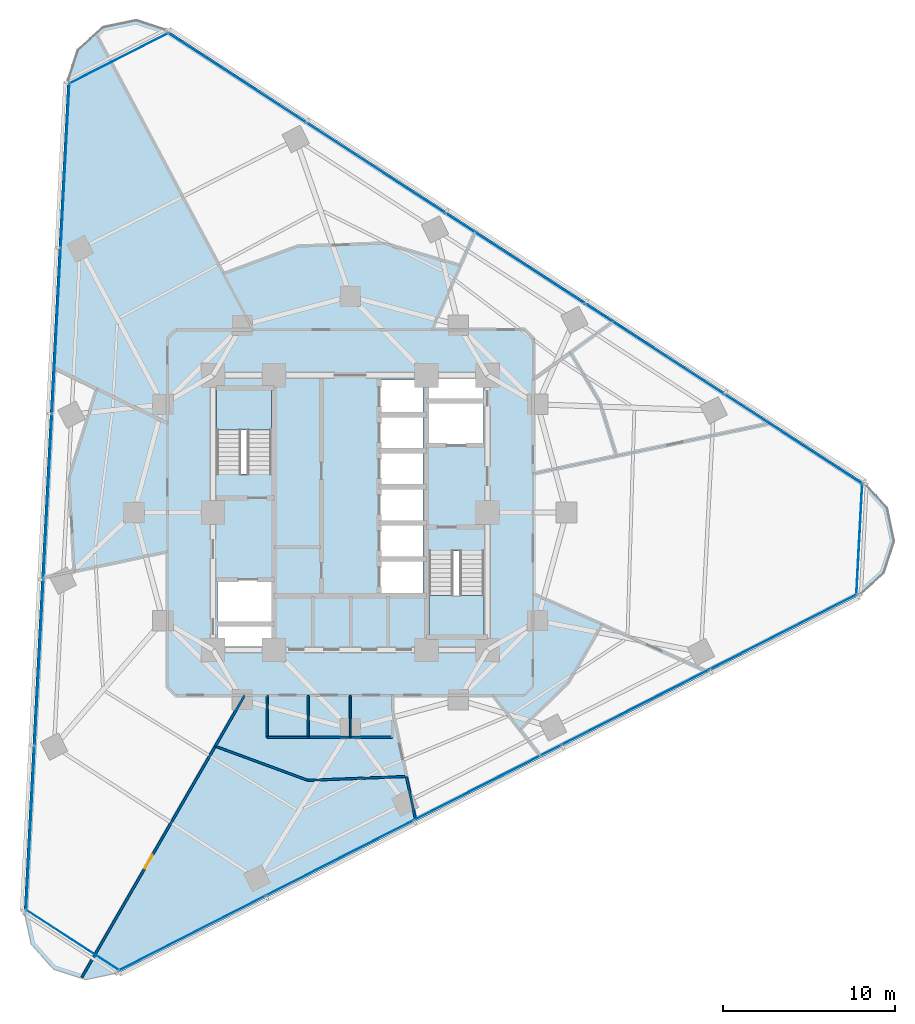
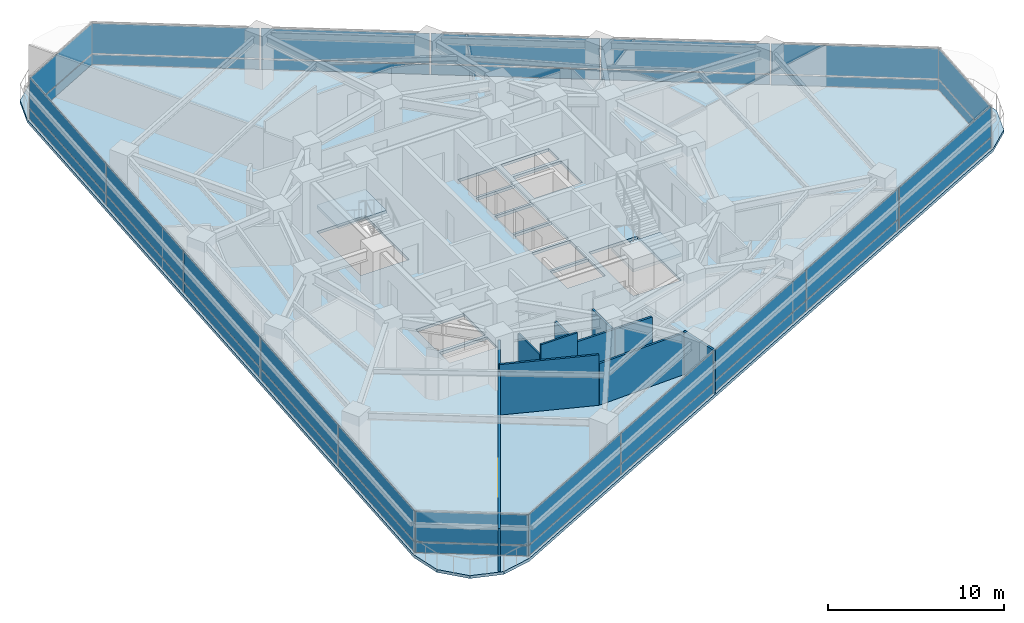
# One storey, part 7 of 14: 36 plates, 11 walls, 3 slabs, 1 door, 1 opening, 8 elements without a shape of their own.
"""IFC4 building model written with IfcOpenShell, lengths in metres."""

from ifc_helpers import new_model, si_unit, direction, frame, frame_2d, origin, origin_2d, place, context, subcontext, project, spatial, polyline, rectangle, outline, extrude, material, layer, layer_set, type_object, element, fill, aggregate, save


model = new_model("IFC4")

# Units and contexts
model_context = context("Model", 3, precision=1e-05, world=origin(), true_north=direction((0.0, 1.0)))
body_context = subcontext(model_context, "Body", "Model", "MODEL_VIEW")
ifc_project = project(units=[si_unit("LENGTHUNIT", "METRE"), si_unit("AREAUNIT", "SQUARE_METRE"), si_unit("VOLUMEUNIT", "CUBIC_METRE"), si_unit("PLANEANGLEUNIT", "RADIAN"), si_unit("MASSUNIT", "GRAM", prefix="KILO")], contexts=[model_context])

# Site, building, storey
site_placement = place(None, origin())
site = spatial("IfcSite", under=ifc_project, at=site_placement, CompositionType="ELEMENT")
building_placement = place(site_placement, origin())
building = spatial("IfcBuilding", under=site, at=building_placement, Name="Terralouvre Media Tower", CompositionType="ELEMENT")
storey_placement = place(building_placement, frame((0.0, 0.0, 142.10009765625)))
storey = spatial("IfcBuildingStorey", under=building, at=storey_placement, Name="L36", CompositionType="ELEMENT", Elevation=142.10009765625)

# Slab
ifc_material_1 = material(Name="Concrete C40/50", Category="concrete")
ifc_layer_1 = layer(ifc_material_1, 0.199951171875, Name="Composite Tower Floor Slab S-TYP200")
ifc_layer_set_1 = layer_set([ifc_layer_1], Name="Concrete C40/50")
slab_type_1 = type_object("IfcSlabType", Name="Composite Tower Floor Slab S-TYP200", PredefinedType="FLOOR", material=ifc_layer_set_1)
slab_1_placement = place(storey_placement, frame((0.0, 0.0, -0.2001953125), z_axis=(0.0, 0.0, 1.0), x_axis=(0.891006524188, 0.45399049974, 0.0)))
element("IfcSlab", 1, at=slab_1_placement, inside=storey, type_object=slab_type_1, Name="L36 Structural Floor Slab", PredefinedType="FLOOR", context=body_context, shape_type="SweptSolid", body=[
    extrude(outline(polyline([(-27.490966796875, -12.07177734375), (-28.0, -13.971923828125), (-27.490966796875, -15.871826171875), (-26.10009765625, -17.2626953125), (-24.199951171875, -17.77197265625), (24.199951171875, -17.77197265625), (26.10009765625, -17.2626953125), (27.490966796875, -15.871826171875), (28.0, -13.971923828125), (27.490966796875, -12.07177734375), (3.291015625, 29.84375), (1.89990234375, 31.234619140625), (0.0, 31.74365234375), (-1.89990234375, 31.234619140625), (-3.291015625, 29.84375), (-27.490966796875, -12.07177734375)]), holes=[polyline([(-7.094970703125, -3.792236328125), (-7.6396484375, -4.861572265625), (-10.446533203125, -3.431396484375), (-9.901611328125, -2.3623046875), (-7.094970703125, -3.792236328125)]), polyline([(-7.004150390625, -3.614013671875), (-9.810791015625, -2.18408203125), (-8.698486328125, -0.0009765625), (-5.891845703125, -1.43115234375), (-7.004150390625, -3.614013671875)]), polyline([(4.504150390625, -0.521728515625), (2.276611328125, 0.61328125), (3.1572265625, 2.341796875), (5.384765625, 1.206787109375), (4.504150390625, -0.521728515625)]), polyline([(6.338134765625, 3.077880859375), (5.45751953125, 1.349365234375), (3.22998046875, 2.484375), (4.110595703125, 4.212890625), (6.338134765625, 3.077880859375)]), polyline([(-3.079345703125, 4.088623046875), (-5.912841796875, 5.532470703125), (-3.635986328125, 10.000732421875), (-0.802734375, 8.55712890625), (-3.079345703125, 4.088623046875)]), polyline([(6.410888671875, 3.220458984375), (4.183349609375, 4.35546875), (5.06396484375, 6.083984375), (7.29150390625, 4.94921875), (6.410888671875, 3.220458984375)]), polyline([(0.802734375, -8.55712890625), (3.079345703125, -4.088623046875), (5.912841796875, -5.532470703125), (3.635986328125, -10.000732421875), (0.802734375, -8.55712890625)]), polyline([(1.64404296875, -6.135009765625), (-0.58349609375, -5.0), (0.297119140625, -3.271484375), (2.524658203125, -4.406494140625), (1.64404296875, -6.135009765625)]), polyline([(2.597412109375, -4.263916015625), (0.369873046875, -3.12890625), (1.25048828125, -1.400390625), (3.47802734375, -2.535400390625), (2.597412109375, -4.263916015625)]), polyline([(4.431396484375, -0.664306640625), (3.55078125, -2.392822265625), (1.3232421875, -1.2578125), (2.203857421875, 0.470703125), (4.431396484375, -0.664306640625)]), polyline([(8.698486328125, 0.0009765625), (5.891845703125, 1.43115234375), (7.004150390625, 3.614013671875), (9.810791015625, 2.18408203125), (8.698486328125, 0.0009765625)]), polyline([(9.901611328125, 2.3623046875), (7.094970703125, 3.792236328125), (7.6396484375, 4.861572265625), (10.446533203125, 3.431396484375), (9.901611328125, 2.3623046875)])]), origin(), (0.0, 0.0, 1.0), 0.2001953125),
])

# Stair, slab
ifc_material_2 = material(Name="Concrete C45/55", Category="concrete")
stair_type_1 = type_object("IfcStairType", Name="Dogleg Stair Assembly ST-01", PredefinedType="HALF_TURN_STAIR", material=ifc_material_2)
stair_1_placement = place(storey_placement, origin())
stair_1 = element("IfcStair", 2, at=stair_1_placement, inside=storey, type_object=stair_type_1, Name="L36 Core Pressurised Exit Stair ST-01", PredefinedType="HALF_TURN_STAIR")
ifc_material_3 = material(Name="Concrete C45/55", Category="concrete")
ifc_layer_2 = layer(ifc_material_3, 0.199951171875, Name="Reinforced Concrete Stair Half-Landing SL-LD1")
ifc_layer_set_2 = layer_set([ifc_layer_2], Name="Concrete C45/55")
slab_type_2 = type_object("IfcSlabType", Name="Reinforced Concrete Stair Half-Landing SL-LD1", PredefinedType="LANDING", material=ifc_layer_set_2)
slab_2_placement = place(storey_placement, frame((0.0, 0.0, 1.64990234375)))
slab_2 = element("IfcSlab", 3, at=slab_2_placement, type_object=slab_type_2, Name="ST-01 landing 1", PredefinedType="LANDING", context=body_context, shape_type="SweptSolid", body=[
    extrude(outline(polyline([(-4.60009765625, 4.820068359375), (-4.60009765625, 7.260009765625), (-7.780029296875, 7.260009765625), (-7.780029296875, 4.820068359375), (-4.60009765625, 4.820068359375)])), origin(), (0.0, 0.0, 1.0), 0.199951171875),
])
aggregate(stair_1, [slab_2])

ifc_material_4 = material(Name="Concrete C45/55", Category="concrete")
stair_type_2 = type_object("IfcStairType", Name="Dogleg Stair Assembly ST-02", PredefinedType="HALF_TURN_STAIR", material=ifc_material_4)
stair_2_placement = place(storey_placement, origin())
stair_2 = element("IfcStair", 4, at=stair_2_placement, inside=storey, type_object=stair_type_2, Name="L36 Core Pressurised Exit Stair ST-02", PredefinedType="HALF_TURN_STAIR")
slab_3_placement = place(storey_placement, frame((0.0, 0.0, 1.64990234375)))
slab_3 = element("IfcSlab", 5, at=slab_3_placement, type_object=slab_type_2, Name="ST-02 landing 1", PredefinedType="LANDING", context=body_context, shape_type="SweptSolid", body=[
    extrude(outline(polyline([(4.60009765625, -4.820068359375), (4.60009765625, -7.260009765625), (7.780029296875, -7.260009765625), (7.780029296875, -4.820068359375), (4.60009765625, -4.820068359375)])), origin(), (0.0, 0.0, 1.0), 0.199951171875),
])
aggregate(stair_2, [slab_3])

# Curtain wall, plates
ifc_material_5 = material(Name="Low-iron laminated double glazing with solar-control coating", Category="glass")
ifc_layer_3 = layer(ifc_material_5, 0.1650390625, Name="Rounded Wind-Corner Curved Glazing CW-04")
ifc_layer_set_3 = layer_set([ifc_layer_3], Name="Low-iron laminated double glazing with solar-control coating")
curtain_wall_type_1 = type_object("IfcCurtainWallType", Name="Rounded Wind-Corner Curved Glazing CW-04", PredefinedType="NOTDEFINED", material=ifc_layer_set_3)
curtain_wall_1_placement = place(storey_placement, origin())
curtain_wall_1 = element("IfcCurtainWall", 6, at=curtain_wall_1_placement, inside=storey, type_object=curtain_wall_type_1, Name="L36 Rounded Wind-Corner Curtain Wall C0", PredefinedType="NOTDEFINED")
ifc_material_6 = material(Name="Low-iron laminated double glazing with solar-control coating", Category="glass")
ifc_layer_4 = layer(ifc_material_6, 0.0400390625, Name="Rounded Corner Laminated Vision Panel CWP-03")
ifc_layer_set_4 = layer_set([ifc_layer_4], Name="Low-iron laminated double glazing with solar-control coating")
plate_type_1 = type_object("IfcPlateType", Name="Rounded Corner Laminated Vision Panel CWP-03", PredefinedType="CURTAIN_PANEL", material=ifc_layer_set_4)
plate_1_placement = place(storey_placement, frame((-16.177734375, -24.91162109375, 0.074951171875), z_axis=(0.0, 0.0, 1.0), x_axis=(0.838670390568, -0.544639308152, 0.0)))
plate_1 = element("IfcPlate", 7, at=plate_1_placement, type_object=plate_type_1, Name="CW-04 panel 1.1", PredefinedType="CURTAIN_PANEL", context=body_context, shape_type="SweptSolid", body=[
    extrude(rectangle(XDim=6.431884765625, YDim=0.035888671875, at=origin_2d()), origin(), (0.0, 0.0, 1.0), 0.6875),
])
plate_2_placement = place(storey_placement, frame((-16.177734375, -24.91162109375, 0.83740234375), z_axis=(0.0, 0.0, 1.0), x_axis=(0.838670390568, -0.544639308152, 0.0)))
plate_2 = element("IfcPlate", 8, at=plate_2_placement, type_object=plate_type_1, Name="CW-04 panel 1.2", PredefinedType="CURTAIN_PANEL", context=body_context, shape_type="SweptSolid", body=[
    extrude(rectangle(XDim=6.431884765625, YDim=0.035888671875, at=origin_2d()), origin(), (0.0, 0.0, 1.0), 2.08740234375),
])
aggregate(curtain_wall_1, [plate_1, plate_2])

curtain_wall_2_placement = place(storey_placement, origin())
curtain_wall_2 = element("IfcCurtainWall", 9, at=curtain_wall_2_placement, inside=storey, type_object=curtain_wall_type_1, Name="L36 Rounded Wind-Corner Curtain Wall C1", PredefinedType="NOTDEFINED")
plate_3_placement = place(storey_placement, frame((29.6630859375, -1.5546875, 0.074951171875), z_axis=(0.0, 0.0, 1.0), x_axis=(0.052336823006, 0.998629489329, 0.0)))
plate_3 = element("IfcPlate", 10, at=plate_3_placement, type_object=plate_type_1, Name="CW-04 panel 1.1", PredefinedType="CURTAIN_PANEL", context=body_context, shape_type="SweptSolid", body=[
    extrude(rectangle(XDim=6.431884765625, YDim=0.035888671875, at=origin_2d()), origin(), (0.0, 0.0, 1.0), 0.6875),
])
plate_4_placement = place(storey_placement, frame((29.6630859375, -1.5546875, 0.83740234375), z_axis=(0.0, 0.0, 1.0), x_axis=(0.052336823006, 0.998629489329, 0.0)))
plate_4 = element("IfcPlate", 11, at=plate_4_placement, type_object=plate_type_1, Name="CW-04 panel 1.2", PredefinedType="CURTAIN_PANEL", context=body_context, shape_type="SweptSolid", body=[
    extrude(rectangle(XDim=6.431884765625, YDim=0.035888671875, at=origin_2d()), origin(), (0.0, 0.0, 1.0), 2.08740234375),
])
aggregate(curtain_wall_2, [plate_3, plate_4])

curtain_wall_3_placement = place(storey_placement, origin())
curtain_wall_3 = element("IfcCurtainWall", 12, at=curtain_wall_3_placement, inside=storey, type_object=curtain_wall_type_1, Name="L36 Rounded Wind-Corner Curtain Wall C2", PredefinedType="NOTDEFINED")
plate_5_placement = place(storey_placement, frame((-13.485107421875, 26.46630859375, 0.074951171875), z_axis=(0.0, 0.0, 1.0), x_axis=(-0.891006600184, -0.45399035059, 0.0)))
plate_5 = element("IfcPlate", 13, at=plate_5_placement, type_object=plate_type_1, Name="CW-04 panel 1.1", PredefinedType="CURTAIN_PANEL", context=body_context, shape_type="SweptSolid", body=[
    extrude(rectangle(XDim=6.431884765625, YDim=0.035888671875, at=origin_2d()), origin(), (0.0, 0.0, 1.0), 0.6875),
])
plate_6_placement = place(storey_placement, frame((-13.485107421875, 26.46630859375, 0.83740234375), z_axis=(0.0, 0.0, 1.0), x_axis=(-0.891006600184, -0.45399035059, 0.0)))
plate_6 = element("IfcPlate", 14, at=plate_6_placement, type_object=plate_type_1, Name="CW-04 panel 1.2", PredefinedType="CURTAIN_PANEL", context=body_context, shape_type="SweptSolid", body=[
    extrude(rectangle(XDim=6.431884765625, YDim=0.035888671875, at=origin_2d()), origin(), (0.0, 0.0, 1.0), 2.08740234375),
])
aggregate(curtain_wall_3, [plate_5, plate_6])

ifc_material_7 = material(Name="Low-iron laminated double glazing with solar-control coating", Category="glass")
ifc_layer_5 = layer(ifc_material_7, 0.1650390625, Name="Production Studio Tower Curtain Wall CW-03")
ifc_layer_set_5 = layer_set([ifc_layer_5], Name="Low-iron laminated double glazing with solar-control coating")
curtain_wall_type_2 = type_object("IfcCurtainWallType", Name="Production Studio Tower Curtain Wall CW-03", PredefinedType="NOTDEFINED", material=ifc_layer_set_5)
curtain_wall_4_placement = place(storey_placement, origin())
curtain_wall_4 = element("IfcCurtainWall", 15, at=curtain_wall_4_placement, inside=storey, type_object=curtain_wall_type_2, Name="L36 Facade Curtain Wall F0", PredefinedType="NOTDEFINED")
ifc_material_8 = material(Name="Low-iron laminated double glazing with solar-control coating", Category="glass")
ifc_layer_6 = layer(ifc_material_8, 0.035888671875, Name="Vision Double-Glazed Unit CWP-01")
ifc_layer_set_6 = layer_set([ifc_layer_6], Name="Low-iron laminated double glazing with solar-control coating")
plate_type_2 = type_object("IfcPlateType", Name="Vision Double-Glazed Unit CWP-01", PredefinedType="CURTAIN_PANEL", material=ifc_layer_set_6)
plate_7_placement = place(storey_placement, frame((-9.219482421875, -24.5087890625, 0.074951171875), z_axis=(0.0, 0.0, 1.0), x_axis=(0.891006501178, 0.4539905449, 0.0)))
plate_7 = element("IfcPlate", 16, at=plate_7_placement, type_object=plate_type_2, Name="CW-03 panel 1.1", PredefinedType="CURTAIN_PANEL", context=body_context, shape_type="SweptSolid", body=[
    extrude(rectangle(XDim=9.5673828125, YDim=0.035888671875, at=origin_2d()), origin(), (0.0, 0.0, 1.0), 0.6875),
])
plate_8_placement = place(storey_placement, frame((-9.219482421875, -24.5087890625, 0.83740234375), z_axis=(0.0, 0.0, 1.0), x_axis=(0.891006501178, 0.4539905449, 0.0)))
plate_8 = element("IfcPlate", 17, at=plate_8_placement, type_object=plate_type_2, Name="CW-03 panel 1.2", PredefinedType="CURTAIN_PANEL", context=body_context, shape_type="SweptSolid", body=[
    extrude(rectangle(XDim=9.5673828125, YDim=0.035888671875, at=origin_2d()), origin(), (0.0, 0.0, 1.0), 2.08740234375),
])
plate_9_placement = place(storey_placement, frame((-0.611083984375, -20.12255859375, 0.074951171875), z_axis=(0.0, 0.0, 1.0), x_axis=(0.891006501178, 0.4539905449, 0.0)))
plate_9 = element("IfcPlate", 18, at=plate_9_placement, type_object=plate_type_2, Name="CW-03 panel 2.1", PredefinedType="CURTAIN_PANEL", context=body_context, shape_type="SweptSolid", body=[
    extrude(rectangle(XDim=9.60498046875, YDim=0.035888671875, at=origin_2d()), origin(), (0.0, 0.0, 1.0), 0.6875),
])
plate_10_placement = place(storey_placement, frame((-0.611083984375, -20.12255859375, 0.83740234375), z_axis=(0.0, 0.0, 1.0), x_axis=(0.891006501178, 0.4539905449, 0.0)))
plate_10 = element("IfcPlate", 19, at=plate_10_placement, type_object=plate_type_2, Name="CW-03 panel 2.2", PredefinedType="CURTAIN_PANEL", context=body_context, shape_type="SweptSolid", body=[
    extrude(rectangle(XDim=9.60498046875, YDim=0.035888671875, at=origin_2d()), origin(), (0.0, 0.0, 1.0), 2.08740234375),
])
plate_11_placement = place(storey_placement, frame((8.013671875, -15.72802734375, 0.074951171875), z_axis=(0.0, 0.0, 1.0), x_axis=(0.891006501178, 0.4539905449, 0.0)))
plate_11 = element("IfcPlate", 20, at=plate_11_placement, type_object=plate_type_2, Name="CW-03 panel 3.1", PredefinedType="CURTAIN_PANEL", context=body_context, shape_type="SweptSolid", body=[
    extrude(rectangle(XDim=9.60498046875, YDim=0.035888671875, at=origin_2d()), origin(), (0.0, 0.0, 1.0), 0.6875),
])
plate_12_placement = place(storey_placement, frame((8.013671875, -15.72802734375, 0.83740234375), z_axis=(0.0, 0.0, 1.0), x_axis=(0.891006501178, 0.4539905449, 0.0)))
plate_12 = element("IfcPlate", 21, at=plate_12_placement, type_object=plate_type_2, Name="CW-03 panel 3.2", PredefinedType="CURTAIN_PANEL", context=body_context, shape_type="SweptSolid", body=[
    extrude(rectangle(XDim=9.60498046875, YDim=0.035888671875, at=origin_2d()), origin(), (0.0, 0.0, 1.0), 2.08740234375),
])
plate_13_placement = place(storey_placement, frame((16.638671875, -11.333251953125, 0.074951171875), z_axis=(0.0, 0.0, 1.0), x_axis=(0.891006501178, 0.4539905449, 0.0)))
plate_13 = element("IfcPlate", 22, at=plate_13_placement, type_object=plate_type_2, Name="CW-03 panel 4.1", PredefinedType="CURTAIN_PANEL", context=body_context, shape_type="SweptSolid", body=[
    extrude(rectangle(XDim=9.60498046875, YDim=0.035888671875, at=origin_2d()), origin(), (0.0, 0.0, 1.0), 0.6875),
])
plate_14_placement = place(storey_placement, frame((16.638671875, -11.333251953125, 0.83740234375), z_axis=(0.0, 0.0, 1.0), x_axis=(0.891006501178, 0.4539905449, 0.0)))
plate_14 = element("IfcPlate", 23, at=plate_14_placement, type_object=plate_type_2, Name="CW-03 panel 4.2", PredefinedType="CURTAIN_PANEL", context=body_context, shape_type="SweptSolid", body=[
    extrude(rectangle(XDim=9.60498046875, YDim=0.035888671875, at=origin_2d()), origin(), (0.0, 0.0, 1.0), 2.08740234375),
])
plate_15_placement = place(storey_placement, frame((25.2470703125, -6.947265625, 0.074951171875), z_axis=(0.0, 0.0, 1.0), x_axis=(0.891006501178, 0.4539905449, 0.0)))
plate_15 = element("IfcPlate", 24, at=plate_15_placement, type_object=plate_type_2, Name="CW-03 panel 5.1", PredefinedType="CURTAIN_PANEL", context=body_context, shape_type="SweptSolid", body=[
    extrude(rectangle(XDim=9.5673828125, YDim=0.035888671875, at=origin_2d()), origin(), (0.0, 0.0, 1.0), 0.6875),
])
plate_16_placement = place(storey_placement, frame((25.2470703125, -6.947265625, 0.83740234375), z_axis=(0.0, 0.0, 1.0), x_axis=(0.891006501178, 0.4539905449, 0.0)))
plate_16 = element("IfcPlate", 25, at=plate_16_placement, type_object=plate_type_2, Name="CW-03 panel 5.2", PredefinedType="CURTAIN_PANEL", context=body_context, shape_type="SweptSolid", body=[
    extrude(rectangle(XDim=9.5673828125, YDim=0.035888671875, at=origin_2d()), origin(), (0.0, 0.0, 1.0), 2.08740234375),
])
aggregate(curtain_wall_4, [plate_7, plate_8, plate_9, plate_10, plate_11, plate_12, plate_13, plate_14, plate_15, plate_16])

curtain_wall_5_placement = place(storey_placement, origin())
curtain_wall_5 = element("IfcCurtainWall", 26, at=curtain_wall_5_placement, inside=storey, type_object=curtain_wall_type_2, Name="L36 Facade Curtain Wall F1", PredefinedType="NOTDEFINED")
plate_17_placement = place(storey_placement, frame((25.8349609375, 4.27001953125, 0.074951171875), z_axis=(0.0, 0.0, 1.0), x_axis=(-0.838670588944, 0.544639002681, 0.0)))
plate_17 = element("IfcPlate", 27, at=plate_17_placement, type_object=plate_type_2, Name="CW-03 panel 1.1", PredefinedType="CURTAIN_PANEL", context=body_context, shape_type="SweptSolid", body=[
    extrude(rectangle(XDim=9.5673828125, YDim=0.035888671875, at=origin_2d()), origin(), (0.0, 0.0, 1.0), 0.6875),
])
plate_18_placement = place(storey_placement, frame((25.8349609375, 4.27001953125, 0.83740234375), z_axis=(0.0, 0.0, 1.0), x_axis=(-0.838670588944, 0.544639002681, 0.0)))
plate_18 = element("IfcPlate", 28, at=plate_18_placement, type_object=plate_type_2, Name="CW-03 panel 1.2", PredefinedType="CURTAIN_PANEL", context=body_context, shape_type="SweptSolid", body=[
    extrude(rectangle(XDim=9.5673828125, YDim=0.035888671875, at=origin_2d()), origin(), (0.0, 0.0, 1.0), 2.08740234375),
])
plate_19_placement = place(storey_placement, frame((17.732177734375, 9.531982421875, 0.074951171875), z_axis=(0.0, 0.0, 1.0), x_axis=(-0.838670588944, 0.544639002681, 0.0)))
plate_19 = element("IfcPlate", 29, at=plate_19_placement, type_object=plate_type_2, Name="CW-03 panel 2.1", PredefinedType="CURTAIN_PANEL", context=body_context, shape_type="SweptSolid", body=[
    extrude(rectangle(XDim=9.60498046875, YDim=0.035888671875, at=origin_2d()), origin(), (0.0, 0.0, 1.0), 0.6875),
])
plate_20_placement = place(storey_placement, frame((17.732177734375, 9.531982421875, 0.83740234375), z_axis=(0.0, 0.0, 1.0), x_axis=(-0.838670588944, 0.544639002681, 0.0)))
plate_20 = element("IfcPlate", 30, at=plate_20_placement, type_object=plate_type_2, Name="CW-03 panel 2.2", PredefinedType="CURTAIN_PANEL", context=body_context, shape_type="SweptSolid", body=[
    extrude(rectangle(XDim=9.60498046875, YDim=0.035888671875, at=origin_2d()), origin(), (0.0, 0.0, 1.0), 2.08740234375),
])
plate_21_placement = place(storey_placement, frame((9.614013671875, 14.80419921875, 0.074951171875), z_axis=(0.0, 0.0, 1.0), x_axis=(-0.838670588944, 0.544639002681, 0.0)))
plate_21 = element("IfcPlate", 31, at=plate_21_placement, type_object=plate_type_2, Name="CW-03 panel 3.1", PredefinedType="CURTAIN_PANEL", context=body_context, shape_type="SweptSolid", body=[
    extrude(rectangle(XDim=9.60498046875, YDim=0.035888671875, at=origin_2d()), origin(), (0.0, 0.0, 1.0), 0.6875),
])
plate_22_placement = place(storey_placement, frame((9.614013671875, 14.80419921875, 0.83740234375), z_axis=(0.0, 0.0, 1.0), x_axis=(-0.838670588944, 0.544639002681, 0.0)))
plate_22 = element("IfcPlate", 32, at=plate_22_placement, type_object=plate_type_2, Name="CW-03 panel 3.2", PredefinedType="CURTAIN_PANEL", context=body_context, shape_type="SweptSolid", body=[
    extrude(rectangle(XDim=9.60498046875, YDim=0.035888671875, at=origin_2d()), origin(), (0.0, 0.0, 1.0), 2.08740234375),
])
plate_23_placement = place(storey_placement, frame((1.49560546875, 20.076171875, 0.074951171875), z_axis=(0.0, 0.0, 1.0), x_axis=(-0.838670588944, 0.544639002681, 0.0)))
plate_23 = element("IfcPlate", 33, at=plate_23_placement, type_object=plate_type_2, Name="CW-03 panel 4.1", PredefinedType="CURTAIN_PANEL", context=body_context, shape_type="SweptSolid", body=[
    extrude(rectangle(XDim=9.60498046875, YDim=0.035888671875, at=origin_2d()), origin(), (0.0, 0.0, 1.0), 0.6875),
])
plate_24_placement = place(storey_placement, frame((1.49560546875, 20.076171875, 0.83740234375), z_axis=(0.0, 0.0, 1.0), x_axis=(-0.838670588944, 0.544639002681, 0.0)))
plate_24 = element("IfcPlate", 34, at=plate_24_placement, type_object=plate_type_2, Name="CW-03 panel 4.2", PredefinedType="CURTAIN_PANEL", context=body_context, shape_type="SweptSolid", body=[
    extrude(rectangle(XDim=9.60498046875, YDim=0.035888671875, at=origin_2d()), origin(), (0.0, 0.0, 1.0), 2.08740234375),
])
plate_25_placement = place(storey_placement, frame((-6.60693359375, 25.338134765625, 0.074951171875), z_axis=(0.0, 0.0, 1.0), x_axis=(-0.838670588944, 0.544639002681, 0.0)))
plate_25 = element("IfcPlate", 35, at=plate_25_placement, type_object=plate_type_2, Name="CW-03 panel 5.1", PredefinedType="CURTAIN_PANEL", context=body_context, shape_type="SweptSolid", body=[
    extrude(rectangle(XDim=9.5673828125, YDim=0.035888671875, at=origin_2d()), origin(), (0.0, 0.0, 1.0), 0.6875),
])
plate_26_placement = place(storey_placement, frame((-6.60693359375, 25.338134765625, 0.83740234375), z_axis=(0.0, 0.0, 1.0), x_axis=(-0.838670588944, 0.544639002681, 0.0)))
plate_26 = element("IfcPlate", 36, at=plate_26_placement, type_object=plate_type_2, Name="CW-03 panel 5.2", PredefinedType="CURTAIN_PANEL", context=body_context, shape_type="SweptSolid", body=[
    extrude(rectangle(XDim=9.5673828125, YDim=0.035888671875, at=origin_2d()), origin(), (0.0, 0.0, 1.0), 2.08740234375),
])
aggregate(curtain_wall_5, [plate_17, plate_18, plate_19, plate_20, plate_21, plate_22, plate_23, plate_24, plate_25, plate_26])

curtain_wall_6_placement = place(storey_placement, origin())
curtain_wall_6 = element("IfcCurtainWall", 37, at=curtain_wall_6_placement, inside=storey, type_object=curtain_wall_type_2, Name="L36 Facade Curtain Wall F2", PredefinedType="NOTDEFINED")
plate_27_placement = place(storey_placement, frame((-16.615478515625, 20.238525390625, 0.074951171875), z_axis=(0.0, 0.0, 1.0), x_axis=(-0.052335949864, -0.998629535089, 0.0)))
plate_27 = element("IfcPlate", 38, at=plate_27_placement, type_object=plate_type_2, Name="CW-03 panel 1.1", PredefinedType="CURTAIN_PANEL", context=body_context, shape_type="SweptSolid", body=[
    extrude(rectangle(XDim=9.5673828125, YDim=0.035888671875, at=origin_2d()), origin(), (0.0, 0.0, 1.0), 0.6875),
])
plate_28_placement = place(storey_placement, frame((-16.615478515625, 20.238525390625, 0.83740234375), z_axis=(0.0, 0.0, 1.0), x_axis=(-0.052335949864, -0.998629535089, 0.0)))
plate_28 = element("IfcPlate", 39, at=plate_28_placement, type_object=plate_type_2, Name="CW-03 panel 1.2", PredefinedType="CURTAIN_PANEL", context=body_context, shape_type="SweptSolid", body=[
    extrude(rectangle(XDim=9.5673828125, YDim=0.035888671875, at=origin_2d()), origin(), (0.0, 0.0, 1.0), 2.08740234375),
])
plate_29_placement = place(storey_placement, frame((-17.12109375, 10.590576171875, 0.074951171875), z_axis=(0.0, 0.0, 1.0), x_axis=(-0.052335949864, -0.998629535089, 0.0)))
plate_29 = element("IfcPlate", 40, at=plate_29_placement, type_object=plate_type_2, Name="CW-03 panel 2.1", PredefinedType="CURTAIN_PANEL", context=body_context, shape_type="SweptSolid", body=[
    extrude(rectangle(XDim=9.60498046875, YDim=0.035888671875, at=origin_2d()), origin(), (0.0, 0.0, 1.0), 0.6875),
])
plate_30_placement = place(storey_placement, frame((-17.12109375, 10.590576171875, 0.83740234375), z_axis=(0.0, 0.0, 1.0), x_axis=(-0.052335949864, -0.998629535089, 0.0)))
plate_30 = element("IfcPlate", 41, at=plate_30_placement, type_object=plate_type_2, Name="CW-03 panel 2.2", PredefinedType="CURTAIN_PANEL", context=body_context, shape_type="SweptSolid", body=[
    extrude(rectangle(XDim=9.60498046875, YDim=0.035888671875, at=origin_2d()), origin(), (0.0, 0.0, 1.0), 2.08740234375),
])
plate_31_placement = place(storey_placement, frame((-17.627685546875, 0.923828125, 0.074951171875), z_axis=(0.0, 0.0, 1.0), x_axis=(-0.052335949864, -0.998629535089, 0.0)))
plate_31 = element("IfcPlate", 42, at=plate_31_placement, type_object=plate_type_2, Name="CW-03 panel 3.1", PredefinedType="CURTAIN_PANEL", context=body_context, shape_type="SweptSolid", body=[
    extrude(rectangle(XDim=9.60498046875, YDim=0.035888671875, at=origin_2d()), origin(), (0.0, 0.0, 1.0), 0.6875),
])
plate_32_placement = place(storey_placement, frame((-17.627685546875, 0.923828125, 0.83740234375), z_axis=(0.0, 0.0, 1.0), x_axis=(-0.052335949864, -0.998629535089, 0.0)))
plate_32 = element("IfcPlate", 43, at=plate_32_placement, type_object=plate_type_2, Name="CW-03 panel 3.2", PredefinedType="CURTAIN_PANEL", context=body_context, shape_type="SweptSolid", body=[
    extrude(rectangle(XDim=9.60498046875, YDim=0.035888671875, at=origin_2d()), origin(), (0.0, 0.0, 1.0), 2.08740234375),
])
plate_33_placement = place(storey_placement, frame((-18.13427734375, -8.742919921875, 0.074951171875), z_axis=(0.0, 0.0, 1.0), x_axis=(-0.052335949864, -0.998629535089, 0.0)))
plate_33 = element("IfcPlate", 44, at=plate_33_placement, type_object=plate_type_2, Name="CW-03 panel 4.1", PredefinedType="CURTAIN_PANEL", context=body_context, shape_type="SweptSolid", body=[
    extrude(rectangle(XDim=9.60498046875, YDim=0.035888671875, at=origin_2d()), origin(), (0.0, 0.0, 1.0), 0.6875),
])
plate_34_placement = place(storey_placement, frame((-18.13427734375, -8.742919921875, 0.83740234375), z_axis=(0.0, 0.0, 1.0), x_axis=(-0.052335949864, -0.998629535089, 0.0)))
plate_34 = element("IfcPlate", 45, at=plate_34_placement, type_object=plate_type_2, Name="CW-03 panel 4.2", PredefinedType="CURTAIN_PANEL", context=body_context, shape_type="SweptSolid", body=[
    extrude(rectangle(XDim=9.60498046875, YDim=0.035888671875, at=origin_2d()), origin(), (0.0, 0.0, 1.0), 2.08740234375),
])
plate_35_placement = place(storey_placement, frame((-18.639892578125, -18.390869140625, 0.074951171875), z_axis=(0.0, 0.0, 1.0), x_axis=(-0.052335949864, -0.998629535089, 0.0)))
plate_35 = element("IfcPlate", 46, at=plate_35_placement, type_object=plate_type_2, Name="CW-03 panel 5.1", PredefinedType="CURTAIN_PANEL", context=body_context, shape_type="SweptSolid", body=[
    extrude(rectangle(XDim=9.5673828125, YDim=0.035888671875, at=origin_2d()), origin(), (0.0, 0.0, 1.0), 0.6875),
])
plate_36_placement = place(storey_placement, frame((-18.639892578125, -18.390869140625, 0.83740234375), z_axis=(0.0, 0.0, 1.0), x_axis=(-0.052335949864, -0.998629535089, 0.0)))
plate_36 = element("IfcPlate", 47, at=plate_36_placement, type_object=plate_type_2, Name="CW-03 panel 5.2", PredefinedType="CURTAIN_PANEL", context=body_context, shape_type="SweptSolid", body=[
    extrude(rectangle(XDim=9.5673828125, YDim=0.035888671875, at=origin_2d()), origin(), (0.0, 0.0, 1.0), 2.08740234375),
])
aggregate(curtain_wall_6, [plate_27, plate_28, plate_29, plate_30, plate_31, plate_32, plate_33, plate_34, plate_35, plate_36])

# Wall, opening, door
ifc_material_9 = material(Name="Fire-rated gypsum board drywall partition")
ifc_layer_7 = layer(ifc_material_9, 0.135009765625, Name="Newsroom Acoustic Partition PT-135")
ifc_layer_set_7 = layer_set([ifc_layer_7], Name="Fire-rated gypsum board drywall partition")
wall_type_1 = type_object("IfcWallType", Name="Newsroom Acoustic Partition PT-135", PredefinedType="PARTITIONING", material=ifc_layer_set_7)
wall_1_placement = place(storey_placement, frame((-15.632568359375, -27.07666015625, 0.0), z_axis=(0.0, 0.0, 1.0), x_axis=(0.499977642092, 0.866038311744, 0.0)))
wall_1 = element("IfcWall", 48, at=wall_1_placement, inside=storey, type_object=wall_type_1, Name="L36 Interior Partition 022", PredefinedType="PARTITIONING", context=body_context, shape_type="SweptSolid", body=[
    extrude(rectangle(XDim=15.541748046875, YDim=0.135009765625, at=frame_2d((7.77099609375, 0.0))), origin(), (0.0, 0.0, 1.0), 2.98486328125),
])
opening_placement = place(wall_1_placement, frame((7.310791015625, 0.0, 0.0)))
opening = element("IfcOpeningElement", 49, at=opening_placement, cuts=wall_1, Name="Opening ID-03-92X210", PredefinedType="OPENING", context=body_context, shape_type="SweptSolid", body=[
    extrude(rectangle(XDim=0.919921875, YDim=2.10009765625, at=frame_2d((0.4599609375, 1.050048828125))), frame((0.0, 0.077392578125, 0.0), z_axis=(0.0, -1.0, 0.0), x_axis=(1.0, 0.0, 0.0)), (0.0, 0.0, 1.0), 0.155029296875),
])
ifc_material_10 = material(Name="Engineered hardwood acoustic timber leaf", Category="wood")
door_type = type_object("IfcDoorType", Name="Accessible Restroom and Suite Door ID-03 (920x2100)", OperationType="NOTDEFINED", PredefinedType="DOOR", material=ifc_material_10)
door_placement = place(opening_placement, origin())
door = element("IfcDoor", 50, at=door_placement, inside=storey, type_object=door_type, Name="L36 Press Kit Closet 2 Door", OperationType="SINGLE_SWING_RIGHT", OverallHeight=2.10009765625, OverallWidth=0.919921875, PredefinedType="DOOR", context=body_context, shape_type="SweptSolid", body=[
    extrude(rectangle(XDim=0.919921875, YDim=2.10009765625, at=frame_2d((0.4599609375, 1.050048828125))), frame((0.0, 0.02490234375, 0.0), z_axis=(0.0, -1.0, 0.0), x_axis=(1.0, 0.0, 0.0)), (0.0, 0.0, 1.0), 0.050048828125),
])
fill(opening, door)

# Walls
wall_2_placement = place(storey_placement, frame((-7.862060546875, -13.616943359375, 0.0), z_axis=(0.0, 0.0, 1.0), x_axis=(0.500024700597, 0.866011142419, 0.0)))
element("IfcWall", 51, at=wall_2_placement, inside=storey, type_object=wall_type_1, Name="L36 Interior Partition 023", PredefinedType="PARTITIONING", context=body_context, shape_type="SweptSolid", body=[
    extrude(rectangle(XDim=3.426025390625, YDim=0.135009765625, at=frame_2d((1.712890625, 0.0))), origin(), (0.0, 0.0, 1.0), 2.784912109375),
])
wall_3_placement = place(storey_placement, frame((3.26904296875, -15.3798828125, 0.0), z_axis=(0.0, 0.0, 1.0), x_axis=(-0.999232211705, -0.039178911299, 0.0)))
element("IfcWall", 52, at=wall_3_placement, inside=storey, type_object=wall_type_1, Name="L36 Interior Partition 026", PredefinedType="PARTITIONING", context=body_context, shape_type="SweptSolid", body=[
    extrude(rectangle(XDim=5.745361328125, YDim=0.135009765625, at=frame_2d((2.87255859375, 0.0))), origin(), (0.0, 0.0, 1.0), 2.885009765625),
])
wall_4_placement = place(storey_placement, frame((-2.471923828125, -15.60498046875, 0.0), z_axis=(0.0, 0.0, 1.0), x_axis=(-0.938218989818, 0.34604208869, 0.0)))
element("IfcWall", 53, at=wall_4_placement, inside=storey, type_object=wall_type_1, Name="L36 Interior Partition 027", PredefinedType="PARTITIONING", context=body_context, shape_type="SweptSolid", body=[
    extrude(rectangle(XDim=5.7451171875, YDim=0.135009765625, at=frame_2d((2.87255859375, 0.0))), origin(), (0.0, 0.0, 1.0), 3.5),
])
wall_5_placement = place(storey_placement, frame((3.8076171875, -17.916015625, 0.0), z_axis=(0.0, 0.0, 1.0), x_axis=(-0.207728113852, 0.978186603218, 0.0)))
element("IfcWall", 54, at=wall_5_placement, inside=storey, type_object=wall_type_1, Name="L36 Interior Partition 028", PredefinedType="PARTITIONING", context=body_context, shape_type="SweptSolid", body=[
    extrude(rectangle(XDim=2.5927734375, YDim=0.135009765625, at=frame_2d((1.29638671875, 0.0))), origin(), (0.0, 0.0, 1.0), 2.98486328125),
])
for number, where, z_axis, x_axis, name in (
    (55, (0.0, -13.10009765625, 0.0), (0.0, 0.0, 1.0), (-1.0, 0.0, 0.0), "L36 Interior Partition 032"),
    (56, (2.449951171875, -13.10009765625, 0.0), (0.0, 0.0, 1.0), (-1.0, 0.0, 0.0), "L36 Interior Partition 034"),
):
    element("IfcWall", number, at=place(storey_placement, frame(where, z_axis=z_axis, x_axis=x_axis)), inside=storey, type_object=wall_type_1, Name=name, PredefinedType="PARTITIONING", context=body_context, shape_type="SweptSolid", body=[
        extrude(rectangle(XDim=2.449951171875, YDim=0.135009765625, at=frame_2d((1.22509765625, 0.0))), origin(), (0.0, 0.0, 1.0), 2.885009765625),
    ])
ifc_material_11 = material(Name="Fire-rated gypsum board drywall partition")
ifc_layer_8 = layer(ifc_material_11, 0.114990234375, Name="Restroom and Pantry Partition PT-115")
ifc_layer_set_8 = layer_set([ifc_layer_8], Name="Fire-rated gypsum board drywall partition")
wall_type_2 = type_object("IfcWallType", Name="Restroom and Pantry Partition PT-115", PredefinedType="PARTITIONING", material=ifc_layer_set_8)
wall_6_placement = place(storey_placement, frame((-4.85009765625, -10.64990234375, 0.0), z_axis=(0.0, 0.0, 1.0), x_axis=(0.0, -1.0, 0.0)))
element("IfcWall", 57, at=wall_6_placement, inside=storey, type_object=wall_type_2, Name="L36 Interior Partition 029", PredefinedType="PARTITIONING", context=body_context, shape_type="SweptSolid", body=[
    extrude(rectangle(XDim=2.4501953125, YDim=0.114990234375, at=frame_2d((1.22509765625, 0.0))), origin(), (0.0, 0.0, 1.0), 2.784912109375),
])
wall_7_placement = place(storey_placement, frame((-4.85009765625, -13.10009765625, 0.0), z_axis=(0.0, 0.0, 1.0), x_axis=(1.0, 0.0, 0.0)))
element("IfcWall", 58, at=wall_7_placement, inside=storey, type_object=wall_type_2, Name="L36 Interior Partition 030", PredefinedType="PARTITIONING", context=body_context, shape_type="SweptSolid", body=[
    extrude(rectangle(XDim=2.400146484375, YDim=0.114990234375, at=frame_2d((1.2001953125, 0.0))), origin(), (0.0, 0.0, 1.0), 3.5),
])
for number, where, z_axis, x_axis, name in (
    (59, (-2.449951171875, -13.10009765625, 0.0), (0.0, 0.0, 1.0), (0.0, 1.0, 0.0), "L36 Interior Partition 031"),
    (60, (0.0, -13.10009765625, 0.0), (0.0, 0.0, 1.0), (0.0, 1.0, 0.0), "L36 Interior Partition 036"),
):
    element("IfcWall", number, at=place(storey_placement, frame(where, z_axis=z_axis, x_axis=x_axis)), inside=storey, type_object=wall_type_2, Name=name, PredefinedType="PARTITIONING", context=body_context, shape_type="SweptSolid", body=[
        extrude(rectangle(XDim=2.4501953125, YDim=0.114990234375, at=frame_2d((1.22509765625, 0.0))), origin(), (0.0, 0.0, 1.0), 2.784912109375),
    ])

save(model, "model.ifc")
